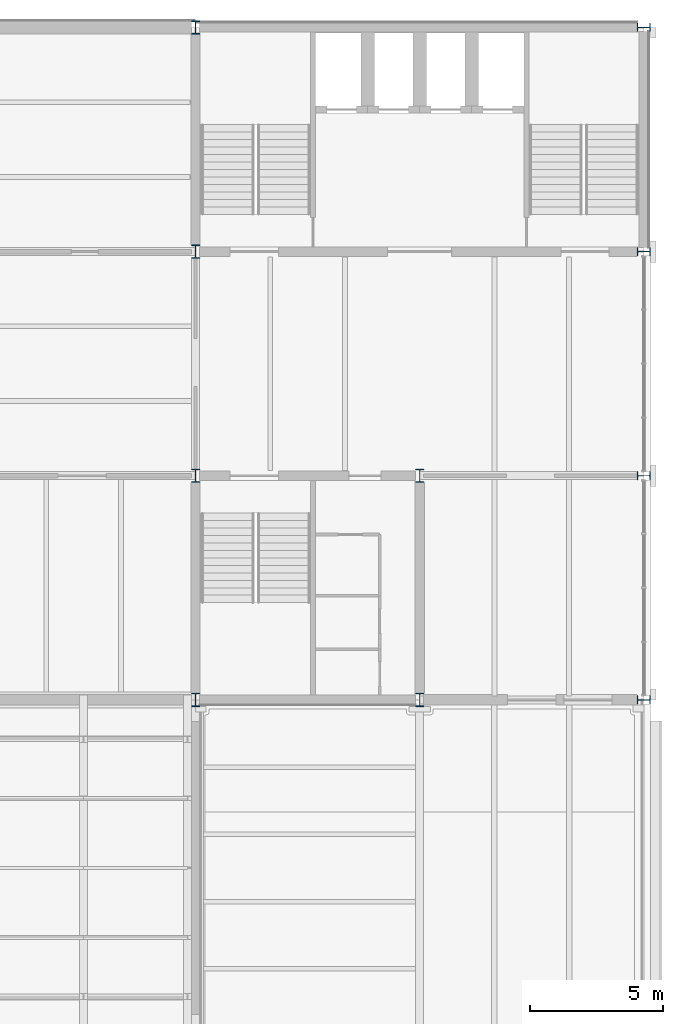
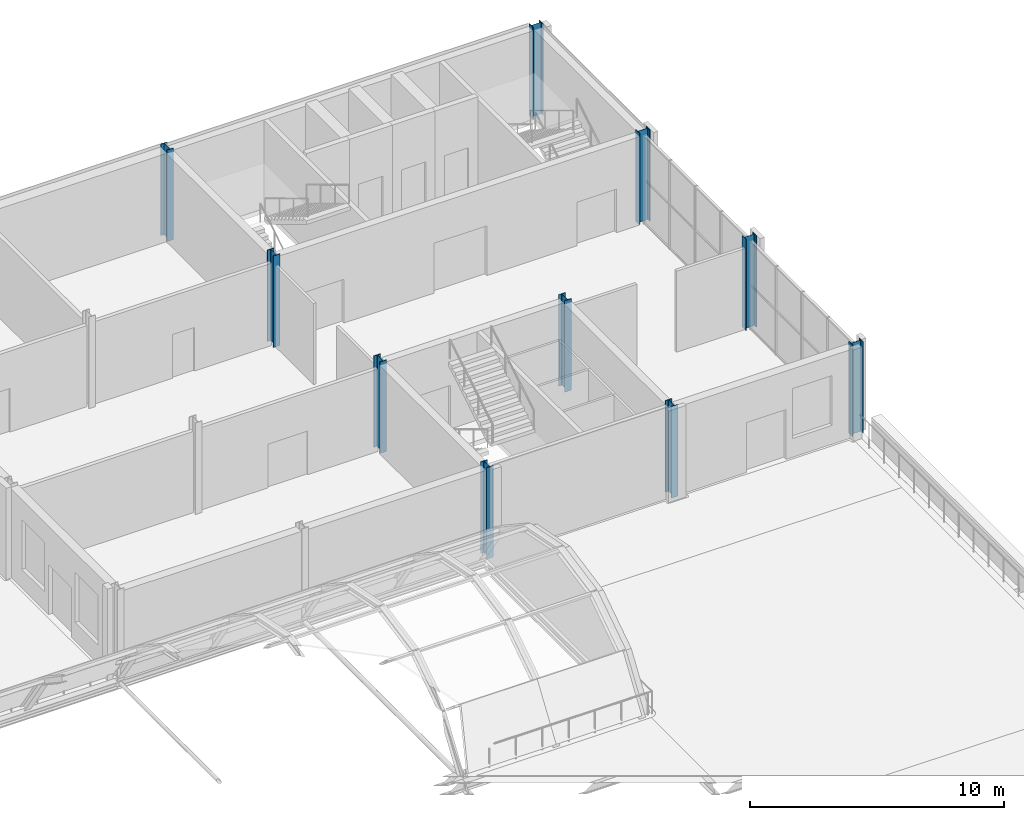
# One storey, part 10 of 58: 10 columns.
"""IFC4 building model written with IfcOpenShell, lengths in metres."""

from ifc_helpers import new_model, si_unit, direction, frame, origin, origin_2d, place, context, subcontext, project, spatial, i_section, extrude, material, material_profile, profile_set, type_object, element, save


model = new_model("IFC4")

# Units and contexts
model_context = context("Model", 3, precision=1e-05, world=origin(), true_north=direction((0.0, 1.0)))
body_context = subcontext(model_context, "Body", "Model", "MODEL_VIEW")
ifc_project = project(units=[si_unit("LENGTHUNIT", "METRE"), si_unit("AREAUNIT", "SQUARE_METRE"), si_unit("VOLUMEUNIT", "CUBIC_METRE"), si_unit("PLANEANGLEUNIT", "RADIAN"), si_unit("MASSUNIT", "GRAM", prefix="KILO")], contexts=[model_context])

# Site, building, storey
site_placement = place(None, origin())
site = spatial("IfcSite", under=ifc_project, at=site_placement, CompositionType="ELEMENT")
building_placement = place(site_placement, origin())
building = spatial("IfcBuilding", under=site, at=building_placement, Name="Galleria Vessillo Department Store", CompositionType="ELEMENT")
storey_placement = place(building_placement, frame((0.0, 0.0, 31.199951171875)))
storey = spatial("IfcBuildingStorey", under=building, at=storey_placement, Name="L06", CompositionType="ELEMENT", Elevation=31.199951171875)

# Columns
ifc_material = material(Name="Steel S355 J2", Category="steel")
ifc_material_profile = material_profile(ifc_material, i_section(OverallWidth=0.300048828125, OverallDepth=0.5, WebThickness=0.014404296875, FlangeThickness=0.028076171875, FilletRadius=0.027099609375, at=origin_2d()), Name="HEB 500")
ifc_profile_set = profile_set([ifc_material_profile], Name="Steel S355 J2")
column_type = type_object("IfcColumnType", Name="Steel column HEB 500 CT3", PredefinedType="COLUMN", material=ifc_profile_set)
for number, where, z_axis, x_axis, name in (
    (1, (100.800048828125, 37.800048828125, 0.0), (0.0, 0.0, 1.0), (1.0, 0.0, 0.0), "S-COL-L06-13-E"),
    (2, (100.800048828125, 46.199951171875, 0.0), (0.0, 0.0, 1.0), (1.0, 0.0, 0.0), "S-COL-L06-13-F"),
    (3, (100.800048828125, 54.60009765625, 0.0), (0.0, 0.0, 1.0), (1.0, 0.0, 0.0), "S-COL-L06-13-G"),
    (4, (100.800048828125, 63.0, 0.0), (0.0, 0.0, 1.0), (1.0, 0.0, 0.0), "S-COL-L06-13-H"),
    (5, (109.199951171875, 37.800048828125, 0.0), (0.0, 0.0, 1.0), (1.0, 0.0, 0.0), "S-COL-L06-14-E"),
    (6, (109.199951171875, 46.199951171875, 0.0), (0.0, 0.0, 1.0), (1.0, 0.0, 0.0), "S-COL-L06-14-F"),
    (7, (117.60009765625, 37.800048828125, 0.0), (0.0, 0.0, 1.0), (0.0, 1.0, 0.0), "S-COL-L06-15-E"),
    (8, (117.60009765625, 46.199951171875, 0.0), (0.0, 0.0, 1.0), (0.0, 1.0, 0.0), "S-COL-L06-15-F"),
    (9, (117.60009765625, 54.60009765625, 0.0), (0.0, 0.0, 1.0), (0.0, 1.0, 0.0), "S-COL-L06-15-G"),
    (10, (117.60009765625, 63.0, 0.0), (0.0, 0.0, 1.0), (0.0, 1.0, 0.0), "S-COL-L06-15-H"),
):
    element("IfcColumn", number, at=place(storey_placement, frame(where, z_axis=z_axis, x_axis=x_axis)), inside=storey, type_object=column_type, Name=name, PredefinedType="COLUMN", context=body_context, shape_type="SweptSolid", body=[
        extrude(i_section(OverallWidth=0.300048828125, OverallDepth=0.5, WebThickness=0.014404296875, FlangeThickness=0.028076171875, FilletRadius=0.027099609375, at=origin_2d()), origin(), (0.0, 0.0, 1.0), 4.400146484375),
    ])

save(model, "model.ifc")
